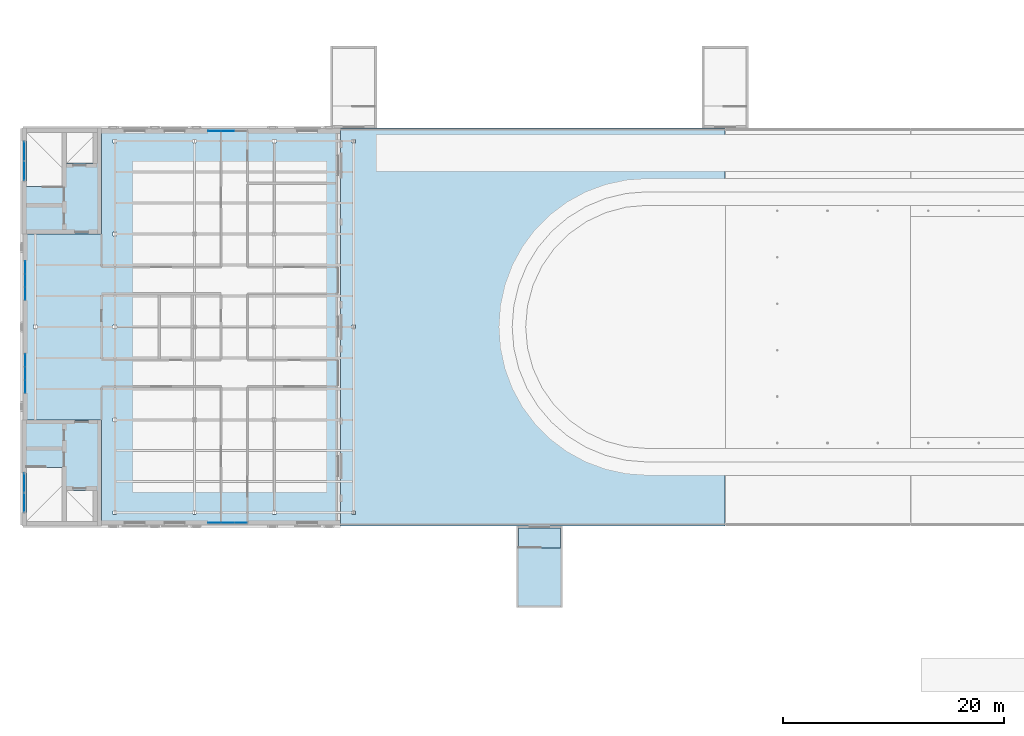
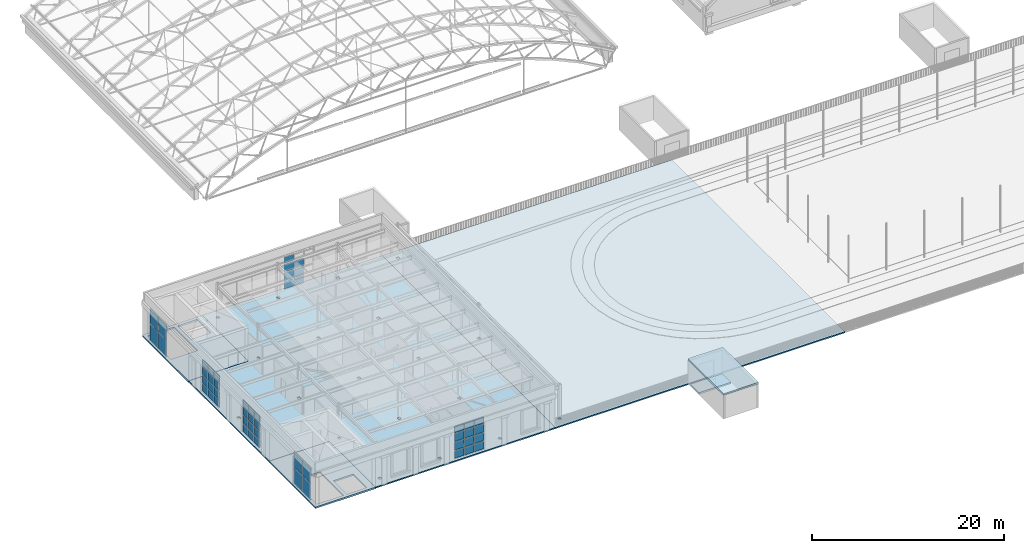
# One storey, part 68 of 127: 51 plates, 6 slabs, 6 elements without a shape of their own.
"""IFC4 building model written with IfcOpenShell, lengths in metres."""

from ifc_helpers import new_model, si_unit, direction, frame, origin, origin_2d, place, context, subcontext, project, spatial, polyline, rectangle, outline, extrude, material, layer, layer_set, type_object, element, aggregate, save


model = new_model("IFC4")

# Units and contexts
model_context = context("Model", 3, precision=1e-05, world=origin(), true_north=direction((0.0, 1.0)))
body_context = subcontext(model_context, "Body", "Model", "MODEL_VIEW")
ifc_project = project(units=[si_unit("LENGTHUNIT", "METRE"), si_unit("AREAUNIT", "SQUARE_METRE"), si_unit("VOLUMEUNIT", "CUBIC_METRE"), si_unit("PLANEANGLEUNIT", "RADIAN"), si_unit("MASSUNIT", "GRAM", prefix="KILO")], contexts=[model_context])

# Site, building, storey
site_placement = place(None, origin())
site = spatial("IfcSite", under=ifc_project, at=site_placement, CompositionType="ELEMENT")
building_placement = place(site_placement, origin())
building = spatial("IfcBuilding", under=site, at=building_placement, Name="Verrick Yard Athletic Hall", CompositionType="ELEMENT")
storey_placement = place(building_placement, frame((0.0, 0.0, 14.0)))
storey = spatial("IfcBuildingStorey", under=building, at=storey_placement, Name="L03", CompositionType="ELEMENT", Elevation=14.0)

# Slabs
ifc_material_1 = material(Name="Concrete 35 MPa", Category="concrete")
ifc_layer_1 = layer(ifc_material_1, 0.199951171875)
ifc_layer_set_1 = layer_set([ifc_layer_1], Name="Core floor slab 200")
slab_type_1 = type_object("IfcSlabType", Name="Core floor slab 200", PredefinedType="FLOOR", material=ifc_layer_set_1)
slab_1_placement = place(storey_placement, frame((0.0, 0.0, -0.199951171875)))
element("IfcSlab", 1, at=slab_1_placement, inside=storey, type_object=slab_type_1, Name="CORE-CB1-FLR-L03", PredefinedType="FLOOR", context=body_context, shape_type="SweptSolid", body=[
    extrude(outline(polyline([(10.0, 18.0), (17.199951171875, 18.0), (17.199951171875, 27.60009765625), (10.0, 27.60009765625), (10.0, 18.0)]), holes=[polyline([(10.403076171875, 23.297119140625), (13.596923828125, 23.297119140625), (13.596923828125, 18.403076171875), (10.403076171875, 18.403076171875), (10.403076171875, 23.297119140625)]), polyline([(14.0029296875, 18.403076171875), (14.0029296875, 21.197021484375), (16.39697265625, 21.197021484375), (16.39697265625, 18.403076171875), (14.0029296875, 18.403076171875)])]), origin(), (0.0, 0.0, 1.0), 0.199951171875),
])
slab_2_placement = place(storey_placement, frame((0.0, 0.0, -0.199951171875)))
element("IfcSlab", 2, at=slab_2_placement, inside=storey, type_object=slab_type_1, Name="CORE-CB2-FLR-L03", PredefinedType="FLOOR", context=body_context, shape_type="SweptSolid", body=[
    extrude(outline(polyline([(10.0, 44.39990234375), (17.199951171875, 44.39990234375), (17.199951171875, 54.0), (10.0, 54.0), (10.0, 44.39990234375)]), holes=[polyline([(13.596923828125, 48.702880859375), (10.403076171875, 48.702880859375), (10.403076171875, 53.596923828125), (13.596923828125, 53.596923828125), (13.596923828125, 48.702880859375)]), polyline([(14.0029296875, 50.802978515625), (14.0029296875, 53.596923828125), (16.39697265625, 53.596923828125), (16.39697265625, 50.802978515625), (14.0029296875, 50.802978515625)])]), origin(), (0.0, 0.0, 1.0), 0.199951171875),
])
slab_3_placement = place(storey_placement, frame((0.0, 0.0, -0.199951171875)))
element("IfcSlab", 3, at=slab_3_placement, inside=storey, type_object=slab_type_1, Name="CORE-DT-S1-NL-L03", PredefinedType="FLOOR", context=body_context, shape_type="SweptSolid", body=[
    extrude(outline(polyline([(54.89990234375, 17.800048828125), (54.89990234375, 16.0), (58.699951171875, 16.0), (58.699951171875, 17.800048828125), (54.89990234375, 17.800048828125)])), origin(), (0.0, 0.0, 1.0), 0.199951171875),
])

# Curtain wall, plates
ifc_material_2 = material(Name="Aluminium 6063-T5", Category="aluminium")
curtain_wall_type_1 = type_object("IfcCurtainWallType", Name="Core glazing strip", PredefinedType="NOTDEFINED", material=ifc_material_2)
curtain_wall_1_placement = place(storey_placement, origin())
curtain_wall_1 = element("IfcCurtainWall", 4, at=curtain_wall_1_placement, inside=storey, type_object=curtain_wall_type_1, Name="CORE-CB1-CW-L03", PredefinedType="NOTDEFINED")
ifc_material_3 = material(Name="Glass IGU low-e", Category="glass")
ifc_layer_2 = layer(ifc_material_3, 0.028076171875)
ifc_layer_set_2 = layer_set([ifc_layer_2], Name="Core glazing panel 28")
plate_type_1 = type_object("IfcPlateType", Name="Core glazing panel 28", PredefinedType="CURTAIN_PANEL", material=ifc_layer_set_2)
plate_1_placement = place(storey_placement, frame((10.199951171875, 20.114990234375, 0.06005859375), z_axis=(0.0, 0.0, 1.0), x_axis=(0.0, 1.0, 0.0)))
plate_1 = element("IfcPlate", 5, at=plate_1_placement, type_object=plate_type_1, Name="CW5 panel 1.1", PredefinedType="CURTAIN_PANEL", context=body_context, shape_type="SweptSolid", body=[
    extrude(rectangle(XDim=1.7099609375, YDim=0.028076171875, at=origin_2d()), origin(), (0.0, 0.0, 1.0), 2.010009765625),
])
plate_2_placement = place(storey_placement, frame((10.199951171875, 20.114990234375, 2.1298828125), z_axis=(0.0, 0.0, 1.0), x_axis=(0.0, 1.0, 0.0)))
plate_2 = element("IfcPlate", 6, at=plate_2_placement, type_object=plate_type_1, Name="CW5 panel 1.2", PredefinedType="CURTAIN_PANEL", context=body_context, shape_type="SweptSolid", body=[
    extrude(rectangle(XDim=1.7099609375, YDim=0.028076171875, at=origin_2d()), origin(), (0.0, 0.0, 1.0), 2.010009765625),
])
plate_3_placement = place(storey_placement, frame((10.199951171875, 21.885009765625, 0.06005859375), z_axis=(0.0, 0.0, 1.0), x_axis=(0.0, 1.0, 0.0)))
plate_3 = element("IfcPlate", 7, at=plate_3_placement, type_object=plate_type_1, Name="CW5 panel 2.1", PredefinedType="CURTAIN_PANEL", context=body_context, shape_type="SweptSolid", body=[
    extrude(rectangle(XDim=1.7099609375, YDim=0.028076171875, at=origin_2d()), origin(), (0.0, 0.0, 1.0), 2.010009765625),
])
plate_4_placement = place(storey_placement, frame((10.199951171875, 21.885009765625, 2.1298828125), z_axis=(0.0, 0.0, 1.0), x_axis=(0.0, 1.0, 0.0)))
plate_4 = element("IfcPlate", 8, at=plate_4_placement, type_object=plate_type_1, Name="CW5 panel 2.2", PredefinedType="CURTAIN_PANEL", context=body_context, shape_type="SweptSolid", body=[
    extrude(rectangle(XDim=1.7099609375, YDim=0.028076171875, at=origin_2d()), origin(), (0.0, 0.0, 1.0), 2.010009765625),
])
aggregate(curtain_wall_1, [plate_1, plate_2, plate_3, plate_4])

curtain_wall_2_placement = place(storey_placement, origin())
curtain_wall_2 = element("IfcCurtainWall", 9, at=curtain_wall_2_placement, inside=storey, type_object=curtain_wall_type_1, Name="CORE-CB2-CW-L03", PredefinedType="NOTDEFINED")
plate_5_placement = place(storey_placement, frame((10.199951171875, 50.114990234375, 0.06005859375), z_axis=(0.0, 0.0, 1.0), x_axis=(0.0, 1.0, 0.0)))
plate_5 = element("IfcPlate", 10, at=plate_5_placement, type_object=plate_type_1, Name="CW5 panel 1.1", PredefinedType="CURTAIN_PANEL", context=body_context, shape_type="SweptSolid", body=[
    extrude(rectangle(XDim=1.7099609375, YDim=0.028076171875, at=origin_2d()), origin(), (0.0, 0.0, 1.0), 2.010009765625),
])
plate_6_placement = place(storey_placement, frame((10.199951171875, 50.114990234375, 2.1298828125), z_axis=(0.0, 0.0, 1.0), x_axis=(0.0, 1.0, 0.0)))
plate_6 = element("IfcPlate", 11, at=plate_6_placement, type_object=plate_type_1, Name="CW5 panel 1.2", PredefinedType="CURTAIN_PANEL", context=body_context, shape_type="SweptSolid", body=[
    extrude(rectangle(XDim=1.7099609375, YDim=0.028076171875, at=origin_2d()), origin(), (0.0, 0.0, 1.0), 2.010009765625),
])
plate_7_placement = place(storey_placement, frame((10.199951171875, 51.885009765625, 0.06005859375), z_axis=(0.0, 0.0, 1.0), x_axis=(0.0, 1.0, 0.0)))
plate_7 = element("IfcPlate", 12, at=plate_7_placement, type_object=plate_type_1, Name="CW5 panel 2.1", PredefinedType="CURTAIN_PANEL", context=body_context, shape_type="SweptSolid", body=[
    extrude(rectangle(XDim=1.7099609375, YDim=0.028076171875, at=origin_2d()), origin(), (0.0, 0.0, 1.0), 2.010009765625),
])
plate_8_placement = place(storey_placement, frame((10.199951171875, 51.885009765625, 2.1298828125), z_axis=(0.0, 0.0, 1.0), x_axis=(0.0, 1.0, 0.0)))
plate_8 = element("IfcPlate", 13, at=plate_8_placement, type_object=plate_type_1, Name="CW5 panel 2.2", PredefinedType="CURTAIN_PANEL", context=body_context, shape_type="SweptSolid", body=[
    extrude(rectangle(XDim=1.7099609375, YDim=0.028076171875, at=origin_2d()), origin(), (0.0, 0.0, 1.0), 2.010009765625),
])
aggregate(curtain_wall_2, [plate_5, plate_6, plate_7, plate_8])

# Slab
ifc_layer_3 = layer(ifc_material_1, 0.199951171875)
ifc_layer_set_3 = layer_set([ifc_layer_3], Name="Core roof slab 200")
slab_type_2 = type_object("IfcSlabType", Name="Core roof slab 200", PredefinedType="ROOF", material=ifc_layer_set_3)
slab_4_placement = place(storey_placement, frame((0.0, 0.0, 3.0)))
element("IfcSlab", 14, at=slab_4_placement, inside=storey, type_object=slab_type_2, Name="CORE-DT-S1-COVER", PredefinedType="ROOF", context=body_context, shape_type="SweptSolid", body=[
    extrude(outline(polyline([(54.699951171875, 10.60009765625), (58.89990234375, 10.60009765625), (58.89990234375, 18.0), (54.699951171875, 18.0), (54.699951171875, 10.60009765625)])), origin(), (0.0, 0.0, 1.0), 0.199951171875),
])

# Curtain wall, plates
ifc_material_4 = material(Name="Anodised aluminium", Category="aluminium")
ifc_layer_4 = layer(ifc_material_4, 0.199951171875)
ifc_layer_set_4 = layer_set([ifc_layer_4], Name="Front glazing")
curtain_wall_type_2 = type_object("IfcCurtainWallType", Name="Front glazing", PredefinedType="NOTDEFINED", material=ifc_layer_set_4)
curtain_wall_3_placement = place(storey_placement, origin())
curtain_wall_3 = element("IfcCurtainWall", 15, at=curtain_wall_3_placement, inside=storey, type_object=curtain_wall_type_2, Name="ENVB-WS-L03-CW268", PredefinedType="NOTDEFINED")
ifc_layer_5 = layer(ifc_material_3, 0.03125)
ifc_layer_set_5 = layer_set([ifc_layer_5], Name="Glazing panel 31")
plate_type_2 = type_object("IfcPlateType", Name="Glazing panel 31", PredefinedType="CURTAIN_PANEL", material=ifc_layer_set_5)
plate_9_placement = place(storey_placement, frame((27.4150390625, 18.28125, 0.1201171875), z_axis=(0.0, 0.0, 1.0), x_axis=(1.0, 0.0, 0.0)))
plate_9 = element("IfcPlate", 16, at=plate_9_placement, type_object=plate_type_2, Name="ENVB-WS-L03-CW268/P00-00", PredefinedType="CURTAIN_PANEL", context=body_context, shape_type="SweptSolid", body=[
    extrude(rectangle(XDim=1.110107421875, YDim=0.03125, at=origin_2d()), origin(), (0.0, 0.0, 1.0), 0.919921875),
])
plate_10_placement = place(storey_placement, frame((27.4150390625, 18.28125, 1.159912109375), z_axis=(0.0, 0.0, 1.0), x_axis=(1.0, 0.0, 0.0)))
plate_10 = element("IfcPlate", 17, at=plate_10_placement, type_object=plate_type_2, Name="ENVB-WS-L03-CW268/P00-01", PredefinedType="CURTAIN_PANEL", context=body_context, shape_type="SweptSolid", body=[
    extrude(rectangle(XDim=1.110107421875, YDim=0.03125, at=origin_2d()), origin(), (0.0, 0.0, 1.0), 0.97998046875),
])
plate_11_placement = place(storey_placement, frame((27.4150390625, 18.28125, 2.260009765625), z_axis=(0.0, 0.0, 1.0), x_axis=(1.0, 0.0, 0.0)))
plate_11 = element("IfcPlate", 18, at=plate_11_placement, type_object=plate_type_2, Name="ENVB-WS-L03-CW268/P00-02", PredefinedType="CURTAIN_PANEL", context=body_context, shape_type="SweptSolid", body=[
    extrude(rectangle(XDim=1.110107421875, YDim=0.03125, at=origin_2d()), origin(), (0.0, 0.0, 1.0), 0.97998046875),
])
plate_12_placement = place(storey_placement, frame((27.4150390625, 18.28125, 3.360107421875), z_axis=(0.0, 0.0, 1.0), x_axis=(1.0, 0.0, 0.0)))
plate_12 = element("IfcPlate", 19, at=plate_12_placement, type_object=plate_type_2, Name="ENVB-WS-L03-CW268/P00-03", PredefinedType="CURTAIN_PANEL", context=body_context, shape_type="SweptSolid", body=[
    extrude(rectangle(XDim=1.110107421875, YDim=0.03125, at=origin_2d()), origin(), (0.0, 0.0, 1.0), 0.77001953125),
])
plate_13_placement = place(storey_placement, frame((28.60009765625, 18.28125, 0.1201171875), z_axis=(0.0, 0.0, 1.0), x_axis=(1.0, 0.0, 0.0)))
plate_13 = element("IfcPlate", 20, at=plate_13_placement, type_object=plate_type_2, Name="ENVB-WS-L03-CW268/P01-00", PredefinedType="CURTAIN_PANEL", context=body_context, shape_type="SweptSolid", body=[
    extrude(rectangle(XDim=1.139892578125, YDim=0.03125, at=origin_2d()), origin(), (0.0, 0.0, 1.0), 0.919921875),
])
plate_14_placement = place(storey_placement, frame((28.60009765625, 18.28125, 1.159912109375), z_axis=(0.0, 0.0, 1.0), x_axis=(1.0, 0.0, 0.0)))
plate_14 = element("IfcPlate", 21, at=plate_14_placement, type_object=plate_type_2, Name="ENVB-WS-L03-CW268/P01-01", PredefinedType="CURTAIN_PANEL", context=body_context, shape_type="SweptSolid", body=[
    extrude(rectangle(XDim=1.139892578125, YDim=0.03125, at=origin_2d()), origin(), (0.0, 0.0, 1.0), 0.97998046875),
])
plate_15_placement = place(storey_placement, frame((28.60009765625, 18.28125, 2.260009765625), z_axis=(0.0, 0.0, 1.0), x_axis=(1.0, 0.0, 0.0)))
plate_15 = element("IfcPlate", 22, at=plate_15_placement, type_object=plate_type_2, Name="ENVB-WS-L03-CW268/P01-02", PredefinedType="CURTAIN_PANEL", context=body_context, shape_type="SweptSolid", body=[
    extrude(rectangle(XDim=1.139892578125, YDim=0.03125, at=origin_2d()), origin(), (0.0, 0.0, 1.0), 0.97998046875),
])
plate_16_placement = place(storey_placement, frame((28.60009765625, 18.28125, 3.360107421875), z_axis=(0.0, 0.0, 1.0), x_axis=(1.0, 0.0, 0.0)))
plate_16 = element("IfcPlate", 23, at=plate_16_placement, type_object=plate_type_2, Name="ENVB-WS-L03-CW268/P01-03", PredefinedType="CURTAIN_PANEL", context=body_context, shape_type="SweptSolid", body=[
    extrude(rectangle(XDim=1.139892578125, YDim=0.03125, at=origin_2d()), origin(), (0.0, 0.0, 1.0), 0.77001953125),
])
plate_17_placement = place(storey_placement, frame((29.784912109375, 18.28125, 0.1201171875), z_axis=(0.0, 0.0, 1.0), x_axis=(1.0, 0.0, 0.0)))
plate_17 = element("IfcPlate", 24, at=plate_17_placement, type_object=plate_type_2, Name="ENVB-WS-L03-CW268/P02-00", PredefinedType="CURTAIN_PANEL", context=body_context, shape_type="SweptSolid", body=[
    extrude(rectangle(XDim=1.110107421875, YDim=0.03125, at=origin_2d()), origin(), (0.0, 0.0, 1.0), 0.919921875),
])
plate_18_placement = place(storey_placement, frame((29.784912109375, 18.28125, 1.159912109375), z_axis=(0.0, 0.0, 1.0), x_axis=(1.0, 0.0, 0.0)))
plate_18 = element("IfcPlate", 25, at=plate_18_placement, type_object=plate_type_2, Name="ENVB-WS-L03-CW268/P02-01", PredefinedType="CURTAIN_PANEL", context=body_context, shape_type="SweptSolid", body=[
    extrude(rectangle(XDim=1.110107421875, YDim=0.03125, at=origin_2d()), origin(), (0.0, 0.0, 1.0), 0.97998046875),
])
plate_19_placement = place(storey_placement, frame((29.784912109375, 18.28125, 2.260009765625), z_axis=(0.0, 0.0, 1.0), x_axis=(1.0, 0.0, 0.0)))
plate_19 = element("IfcPlate", 26, at=plate_19_placement, type_object=plate_type_2, Name="ENVB-WS-L03-CW268/P02-02", PredefinedType="CURTAIN_PANEL", context=body_context, shape_type="SweptSolid", body=[
    extrude(rectangle(XDim=1.110107421875, YDim=0.03125, at=origin_2d()), origin(), (0.0, 0.0, 1.0), 0.97998046875),
])
plate_20_placement = place(storey_placement, frame((29.784912109375, 18.28125, 3.360107421875), z_axis=(0.0, 0.0, 1.0), x_axis=(1.0, 0.0, 0.0)))
plate_20 = element("IfcPlate", 27, at=plate_20_placement, type_object=plate_type_2, Name="ENVB-WS-L03-CW268/P02-03", PredefinedType="CURTAIN_PANEL", context=body_context, shape_type="SweptSolid", body=[
    extrude(rectangle(XDim=1.110107421875, YDim=0.03125, at=origin_2d()), origin(), (0.0, 0.0, 1.0), 0.77001953125),
])
aggregate(curtain_wall_3, [plate_9, plate_10, plate_11, plate_12, plate_13, plate_14, plate_15, plate_16, plate_17, plate_18, plate_19, plate_20])

curtain_wall_4_placement = place(storey_placement, origin())
curtain_wall_4 = element("IfcCurtainWall", 28, at=curtain_wall_4_placement, inside=storey, type_object=curtain_wall_type_2, Name="ENVB-WN-L03-CW268", PredefinedType="NOTDEFINED")
plate_21_placement = place(storey_placement, frame((27.4150390625, 53.71875, 0.1201171875), z_axis=(0.0, 0.0, 1.0), x_axis=(1.0, 0.0, 0.0)))
plate_21 = element("IfcPlate", 29, at=plate_21_placement, type_object=plate_type_2, Name="ENVB-WN-L03-CW268/P00-00", PredefinedType="CURTAIN_PANEL", context=body_context, shape_type="SweptSolid", body=[
    extrude(rectangle(XDim=1.110107421875, YDim=0.03125, at=origin_2d()), origin(), (0.0, 0.0, 1.0), 0.919921875),
])
plate_22_placement = place(storey_placement, frame((27.4150390625, 53.71875, 1.159912109375), z_axis=(0.0, 0.0, 1.0), x_axis=(1.0, 0.0, 0.0)))
plate_22 = element("IfcPlate", 30, at=plate_22_placement, type_object=plate_type_2, Name="ENVB-WN-L03-CW268/P00-01", PredefinedType="CURTAIN_PANEL", context=body_context, shape_type="SweptSolid", body=[
    extrude(rectangle(XDim=1.110107421875, YDim=0.03125, at=origin_2d()), origin(), (0.0, 0.0, 1.0), 0.97998046875),
])
plate_23_placement = place(storey_placement, frame((27.4150390625, 53.71875, 2.260009765625), z_axis=(0.0, 0.0, 1.0), x_axis=(1.0, 0.0, 0.0)))
plate_23 = element("IfcPlate", 31, at=plate_23_placement, type_object=plate_type_2, Name="ENVB-WN-L03-CW268/P00-02", PredefinedType="CURTAIN_PANEL", context=body_context, shape_type="SweptSolid", body=[
    extrude(rectangle(XDim=1.110107421875, YDim=0.03125, at=origin_2d()), origin(), (0.0, 0.0, 1.0), 0.97998046875),
])
plate_24_placement = place(storey_placement, frame((27.4150390625, 53.71875, 3.360107421875), z_axis=(0.0, 0.0, 1.0), x_axis=(1.0, 0.0, 0.0)))
plate_24 = element("IfcPlate", 32, at=plate_24_placement, type_object=plate_type_2, Name="ENVB-WN-L03-CW268/P00-03", PredefinedType="CURTAIN_PANEL", context=body_context, shape_type="SweptSolid", body=[
    extrude(rectangle(XDim=1.110107421875, YDim=0.03125, at=origin_2d()), origin(), (0.0, 0.0, 1.0), 0.77001953125),
])
plate_25_placement = place(storey_placement, frame((28.60009765625, 53.71875, 0.1201171875), z_axis=(0.0, 0.0, 1.0), x_axis=(1.0, 0.0, 0.0)))
plate_25 = element("IfcPlate", 33, at=plate_25_placement, type_object=plate_type_2, Name="ENVB-WN-L03-CW268/P01-00", PredefinedType="CURTAIN_PANEL", context=body_context, shape_type="SweptSolid", body=[
    extrude(rectangle(XDim=1.139892578125, YDim=0.03125, at=origin_2d()), origin(), (0.0, 0.0, 1.0), 0.919921875),
])
plate_26_placement = place(storey_placement, frame((28.60009765625, 53.71875, 1.159912109375), z_axis=(0.0, 0.0, 1.0), x_axis=(1.0, 0.0, 0.0)))
plate_26 = element("IfcPlate", 34, at=plate_26_placement, type_object=plate_type_2, Name="ENVB-WN-L03-CW268/P01-01", PredefinedType="CURTAIN_PANEL", context=body_context, shape_type="SweptSolid", body=[
    extrude(rectangle(XDim=1.139892578125, YDim=0.03125, at=origin_2d()), origin(), (0.0, 0.0, 1.0), 0.97998046875),
])
plate_27_placement = place(storey_placement, frame((28.60009765625, 53.71875, 2.260009765625), z_axis=(0.0, 0.0, 1.0), x_axis=(1.0, 0.0, 0.0)))
plate_27 = element("IfcPlate", 35, at=plate_27_placement, type_object=plate_type_2, Name="ENVB-WN-L03-CW268/P01-02", PredefinedType="CURTAIN_PANEL", context=body_context, shape_type="SweptSolid", body=[
    extrude(rectangle(XDim=1.139892578125, YDim=0.03125, at=origin_2d()), origin(), (0.0, 0.0, 1.0), 0.97998046875),
])
aggregate(curtain_wall_4, [plate_21, plate_22, plate_23, plate_24, plate_25, plate_26, plate_27])

curtain_wall_5_placement = place(storey_placement, origin())
curtain_wall_5 = element("IfcCurtainWall", 36, at=curtain_wall_5_placement, inside=storey, type_object=curtain_wall_type_2, Name="ENVB-WW-L03-CW300", PredefinedType="NOTDEFINED")
plate_28_placement = place(storey_placement, frame((10.28125, 30.614990234375, 0.1201171875), z_axis=(0.0, 0.0, 1.0), x_axis=(0.0, 1.0, 0.0)))
plate_28 = element("IfcPlate", 37, at=plate_28_placement, type_object=plate_type_2, Name="ENVB-WW-L03-CW300/P00-00", PredefinedType="CURTAIN_PANEL", context=body_context, shape_type="SweptSolid", body=[
    extrude(rectangle(XDim=1.110107421875, YDim=0.03125, at=origin_2d()), origin(), (0.0, 0.0, 1.0), 0.919921875),
])
plate_29_placement = place(storey_placement, frame((10.28125, 30.614990234375, 1.159912109375), z_axis=(0.0, 0.0, 1.0), x_axis=(0.0, 1.0, 0.0)))
plate_29 = element("IfcPlate", 38, at=plate_29_placement, type_object=plate_type_2, Name="ENVB-WW-L03-CW300/P00-01", PredefinedType="CURTAIN_PANEL", context=body_context, shape_type="SweptSolid", body=[
    extrude(rectangle(XDim=1.110107421875, YDim=0.03125, at=origin_2d()), origin(), (0.0, 0.0, 1.0), 0.97998046875),
])
plate_30_placement = place(storey_placement, frame((10.28125, 30.614990234375, 2.260009765625), z_axis=(0.0, 0.0, 1.0), x_axis=(0.0, 1.0, 0.0)))
plate_30 = element("IfcPlate", 39, at=plate_30_placement, type_object=plate_type_2, Name="ENVB-WW-L03-CW300/P00-02", PredefinedType="CURTAIN_PANEL", context=body_context, shape_type="SweptSolid", body=[
    extrude(rectangle(XDim=1.110107421875, YDim=0.03125, at=origin_2d()), origin(), (0.0, 0.0, 1.0), 0.97998046875),
])
plate_31_placement = place(storey_placement, frame((10.28125, 30.614990234375, 3.360107421875), z_axis=(0.0, 0.0, 1.0), x_axis=(0.0, 1.0, 0.0)))
plate_31 = element("IfcPlate", 40, at=plate_31_placement, type_object=plate_type_2, Name="ENVB-WW-L03-CW300/P00-03", PredefinedType="CURTAIN_PANEL", context=body_context, shape_type="SweptSolid", body=[
    extrude(rectangle(XDim=1.110107421875, YDim=0.03125, at=origin_2d()), origin(), (0.0, 0.0, 1.0), 0.77001953125),
])
plate_32_placement = place(storey_placement, frame((10.28125, 31.800048828125, 0.1201171875), z_axis=(0.0, 0.0, 1.0), x_axis=(0.0, 1.0, 0.0)))
plate_32 = element("IfcPlate", 41, at=plate_32_placement, type_object=plate_type_2, Name="ENVB-WW-L03-CW300/P01-00", PredefinedType="CURTAIN_PANEL", context=body_context, shape_type="SweptSolid", body=[
    extrude(rectangle(XDim=1.139892578125, YDim=0.03125, at=origin_2d()), origin(), (0.0, 0.0, 1.0), 0.919921875),
])
plate_33_placement = place(storey_placement, frame((10.28125, 31.800048828125, 1.159912109375), z_axis=(0.0, 0.0, 1.0), x_axis=(0.0, 1.0, 0.0)))
plate_33 = element("IfcPlate", 42, at=plate_33_placement, type_object=plate_type_2, Name="ENVB-WW-L03-CW300/P01-01", PredefinedType="CURTAIN_PANEL", context=body_context, shape_type="SweptSolid", body=[
    extrude(rectangle(XDim=1.139892578125, YDim=0.03125, at=origin_2d()), origin(), (0.0, 0.0, 1.0), 0.97998046875),
])
plate_34_placement = place(storey_placement, frame((10.28125, 31.800048828125, 2.260009765625), z_axis=(0.0, 0.0, 1.0), x_axis=(0.0, 1.0, 0.0)))
plate_34 = element("IfcPlate", 43, at=plate_34_placement, type_object=plate_type_2, Name="ENVB-WW-L03-CW300/P01-02", PredefinedType="CURTAIN_PANEL", context=body_context, shape_type="SweptSolid", body=[
    extrude(rectangle(XDim=1.139892578125, YDim=0.03125, at=origin_2d()), origin(), (0.0, 0.0, 1.0), 0.97998046875),
])
plate_35_placement = place(storey_placement, frame((10.28125, 31.800048828125, 3.360107421875), z_axis=(0.0, 0.0, 1.0), x_axis=(0.0, 1.0, 0.0)))
plate_35 = element("IfcPlate", 44, at=plate_35_placement, type_object=plate_type_2, Name="ENVB-WW-L03-CW300/P01-03", PredefinedType="CURTAIN_PANEL", context=body_context, shape_type="SweptSolid", body=[
    extrude(rectangle(XDim=1.139892578125, YDim=0.03125, at=origin_2d()), origin(), (0.0, 0.0, 1.0), 0.77001953125),
])
plate_36_placement = place(storey_placement, frame((10.28125, 32.985107421875, 0.1201171875), z_axis=(0.0, 0.0, 1.0), x_axis=(0.0, 1.0, 0.0)))
plate_36 = element("IfcPlate", 45, at=plate_36_placement, type_object=plate_type_2, Name="ENVB-WW-L03-CW300/P02-00", PredefinedType="CURTAIN_PANEL", context=body_context, shape_type="SweptSolid", body=[
    extrude(rectangle(XDim=1.110107421875, YDim=0.03125, at=origin_2d()), origin(), (0.0, 0.0, 1.0), 0.919921875),
])
plate_37_placement = place(storey_placement, frame((10.28125, 32.985107421875, 1.159912109375), z_axis=(0.0, 0.0, 1.0), x_axis=(0.0, 1.0, 0.0)))
plate_37 = element("IfcPlate", 46, at=plate_37_placement, type_object=plate_type_2, Name="ENVB-WW-L03-CW300/P02-01", PredefinedType="CURTAIN_PANEL", context=body_context, shape_type="SweptSolid", body=[
    extrude(rectangle(XDim=1.110107421875, YDim=0.03125, at=origin_2d()), origin(), (0.0, 0.0, 1.0), 0.97998046875),
])
plate_38_placement = place(storey_placement, frame((10.28125, 32.985107421875, 2.260009765625), z_axis=(0.0, 0.0, 1.0), x_axis=(0.0, 1.0, 0.0)))
plate_38 = element("IfcPlate", 47, at=plate_38_placement, type_object=plate_type_2, Name="ENVB-WW-L03-CW300/P02-02", PredefinedType="CURTAIN_PANEL", context=body_context, shape_type="SweptSolid", body=[
    extrude(rectangle(XDim=1.110107421875, YDim=0.03125, at=origin_2d()), origin(), (0.0, 0.0, 1.0), 0.97998046875),
])
plate_39_placement = place(storey_placement, frame((10.28125, 32.985107421875, 3.360107421875), z_axis=(0.0, 0.0, 1.0), x_axis=(0.0, 1.0, 0.0)))
plate_39 = element("IfcPlate", 48, at=plate_39_placement, type_object=plate_type_2, Name="ENVB-WW-L03-CW300/P02-03", PredefinedType="CURTAIN_PANEL", context=body_context, shape_type="SweptSolid", body=[
    extrude(rectangle(XDim=1.110107421875, YDim=0.03125, at=origin_2d()), origin(), (0.0, 0.0, 1.0), 0.77001953125),
])
aggregate(curtain_wall_5, [plate_28, plate_29, plate_30, plate_31, plate_32, plate_33, plate_34, plate_35, plate_36, plate_37, plate_38, plate_39])

curtain_wall_6_placement = place(storey_placement, origin())
curtain_wall_6 = element("IfcCurtainWall", 49, at=curtain_wall_6_placement, inside=storey, type_object=curtain_wall_type_2, Name="ENVB-WW-L03-CW384", PredefinedType="NOTDEFINED")
plate_40_placement = place(storey_placement, frame((10.28125, 39.014892578125, 0.1201171875), z_axis=(0.0, 0.0, 1.0), x_axis=(0.0, 1.0, 0.0)))
plate_40 = element("IfcPlate", 50, at=plate_40_placement, type_object=plate_type_2, Name="ENVB-WW-L03-CW384/P00-00", PredefinedType="CURTAIN_PANEL", context=body_context, shape_type="SweptSolid", body=[
    extrude(rectangle(XDim=1.110107421875, YDim=0.03125, at=origin_2d()), origin(), (0.0, 0.0, 1.0), 0.919921875),
])
plate_41_placement = place(storey_placement, frame((10.28125, 39.014892578125, 1.159912109375), z_axis=(0.0, 0.0, 1.0), x_axis=(0.0, 1.0, 0.0)))
plate_41 = element("IfcPlate", 51, at=plate_41_placement, type_object=plate_type_2, Name="ENVB-WW-L03-CW384/P00-01", PredefinedType="CURTAIN_PANEL", context=body_context, shape_type="SweptSolid", body=[
    extrude(rectangle(XDim=1.110107421875, YDim=0.03125, at=origin_2d()), origin(), (0.0, 0.0, 1.0), 0.97998046875),
])
plate_42_placement = place(storey_placement, frame((10.28125, 39.014892578125, 2.260009765625), z_axis=(0.0, 0.0, 1.0), x_axis=(0.0, 1.0, 0.0)))
plate_42 = element("IfcPlate", 52, at=plate_42_placement, type_object=plate_type_2, Name="ENVB-WW-L03-CW384/P00-02", PredefinedType="CURTAIN_PANEL", context=body_context, shape_type="SweptSolid", body=[
    extrude(rectangle(XDim=1.110107421875, YDim=0.03125, at=origin_2d()), origin(), (0.0, 0.0, 1.0), 0.97998046875),
])
plate_43_placement = place(storey_placement, frame((10.28125, 39.014892578125, 3.360107421875), z_axis=(0.0, 0.0, 1.0), x_axis=(0.0, 1.0, 0.0)))
plate_43 = element("IfcPlate", 53, at=plate_43_placement, type_object=plate_type_2, Name="ENVB-WW-L03-CW384/P00-03", PredefinedType="CURTAIN_PANEL", context=body_context, shape_type="SweptSolid", body=[
    extrude(rectangle(XDim=1.110107421875, YDim=0.03125, at=origin_2d()), origin(), (0.0, 0.0, 1.0), 0.77001953125),
])
plate_44_placement = place(storey_placement, frame((10.28125, 40.199951171875, 0.1201171875), z_axis=(0.0, 0.0, 1.0), x_axis=(0.0, 1.0, 0.0)))
plate_44 = element("IfcPlate", 54, at=plate_44_placement, type_object=plate_type_2, Name="ENVB-WW-L03-CW384/P01-00", PredefinedType="CURTAIN_PANEL", context=body_context, shape_type="SweptSolid", body=[
    extrude(rectangle(XDim=1.139892578125, YDim=0.03125, at=origin_2d()), origin(), (0.0, 0.0, 1.0), 0.919921875),
])
plate_45_placement = place(storey_placement, frame((10.28125, 40.199951171875, 1.159912109375), z_axis=(0.0, 0.0, 1.0), x_axis=(0.0, 1.0, 0.0)))
plate_45 = element("IfcPlate", 55, at=plate_45_placement, type_object=plate_type_2, Name="ENVB-WW-L03-CW384/P01-01", PredefinedType="CURTAIN_PANEL", context=body_context, shape_type="SweptSolid", body=[
    extrude(rectangle(XDim=1.139892578125, YDim=0.03125, at=origin_2d()), origin(), (0.0, 0.0, 1.0), 0.97998046875),
])
plate_46_placement = place(storey_placement, frame((10.28125, 40.199951171875, 2.260009765625), z_axis=(0.0, 0.0, 1.0), x_axis=(0.0, 1.0, 0.0)))
plate_46 = element("IfcPlate", 56, at=plate_46_placement, type_object=plate_type_2, Name="ENVB-WW-L03-CW384/P01-02", PredefinedType="CURTAIN_PANEL", context=body_context, shape_type="SweptSolid", body=[
    extrude(rectangle(XDim=1.139892578125, YDim=0.03125, at=origin_2d()), origin(), (0.0, 0.0, 1.0), 0.97998046875),
])
plate_47_placement = place(storey_placement, frame((10.28125, 40.199951171875, 3.360107421875), z_axis=(0.0, 0.0, 1.0), x_axis=(0.0, 1.0, 0.0)))
plate_47 = element("IfcPlate", 57, at=plate_47_placement, type_object=plate_type_2, Name="ENVB-WW-L03-CW384/P01-03", PredefinedType="CURTAIN_PANEL", context=body_context, shape_type="SweptSolid", body=[
    extrude(rectangle(XDim=1.139892578125, YDim=0.03125, at=origin_2d()), origin(), (0.0, 0.0, 1.0), 0.77001953125),
])
plate_48_placement = place(storey_placement, frame((10.28125, 41.385009765625, 0.1201171875), z_axis=(0.0, 0.0, 1.0), x_axis=(0.0, 1.0, 0.0)))
plate_48 = element("IfcPlate", 58, at=plate_48_placement, type_object=plate_type_2, Name="ENVB-WW-L03-CW384/P02-00", PredefinedType="CURTAIN_PANEL", context=body_context, shape_type="SweptSolid", body=[
    extrude(rectangle(XDim=1.110107421875, YDim=0.03125, at=origin_2d()), origin(), (0.0, 0.0, 1.0), 0.919921875),
])
plate_49_placement = place(storey_placement, frame((10.28125, 41.385009765625, 1.159912109375), z_axis=(0.0, 0.0, 1.0), x_axis=(0.0, 1.0, 0.0)))
plate_49 = element("IfcPlate", 59, at=plate_49_placement, type_object=plate_type_2, Name="ENVB-WW-L03-CW384/P02-01", PredefinedType="CURTAIN_PANEL", context=body_context, shape_type="SweptSolid", body=[
    extrude(rectangle(XDim=1.110107421875, YDim=0.03125, at=origin_2d()), origin(), (0.0, 0.0, 1.0), 0.97998046875),
])
plate_50_placement = place(storey_placement, frame((10.28125, 41.385009765625, 2.260009765625), z_axis=(0.0, 0.0, 1.0), x_axis=(0.0, 1.0, 0.0)))
plate_50 = element("IfcPlate", 60, at=plate_50_placement, type_object=plate_type_2, Name="ENVB-WW-L03-CW384/P02-02", PredefinedType="CURTAIN_PANEL", context=body_context, shape_type="SweptSolid", body=[
    extrude(rectangle(XDim=1.110107421875, YDim=0.03125, at=origin_2d()), origin(), (0.0, 0.0, 1.0), 0.97998046875),
])
plate_51_placement = place(storey_placement, frame((10.28125, 41.385009765625, 3.360107421875), z_axis=(0.0, 0.0, 1.0), x_axis=(0.0, 1.0, 0.0)))
plate_51 = element("IfcPlate", 61, at=plate_51_placement, type_object=plate_type_2, Name="ENVB-WW-L03-CW384/P02-03", PredefinedType="CURTAIN_PANEL", context=body_context, shape_type="SweptSolid", body=[
    extrude(rectangle(XDim=1.110107421875, YDim=0.03125, at=origin_2d()), origin(), (0.0, 0.0, 1.0), 0.77001953125),
])
aggregate(curtain_wall_6, [plate_40, plate_41, plate_42, plate_43, plate_44, plate_45, plate_46, plate_47, plate_48, plate_49, plate_50, plate_51])

# Slabs
ifc_layer_6 = layer(ifc_material_1, 0.14990234375)
ifc_layer_set_6 = layer_set([ifc_layer_6], Name="STR Composite deck slab SL3")
slab_type_3 = type_object("IfcSlabType", Name="STR Composite deck slab SL3", PredefinedType="ROOF", material=ifc_layer_set_6)
slab_5_placement = place(storey_placement, frame((0.0, 0.0, -0.14990234375)))
element("IfcSlab", 62, at=slab_5_placement, inside=storey, type_object=slab_type_3, Name="STR-SL-DECK-DZ1", PredefinedType="ROOF", context=body_context, shape_type="SweptSolid", body=[
    extrude(outline(polyline([(73.574951171875, 54.0), (38.800048828125, 54.0), (38.800048828125, 18.0), (73.574951171875, 18.0), (73.574951171875, 54.0)]), holes=[polyline([(39.845458984375, 19.03857421875), (39.845458984375, 19.361572265625), (40.154541015625, 19.361572265625), (40.154541015625, 19.03857421875), (39.845458984375, 19.03857421875)]), polyline([(39.845458984375, 36.16162109375), (40.154541015625, 36.16162109375), (40.154541015625, 35.83837890625), (39.845458984375, 35.83837890625), (39.845458984375, 36.16162109375)]), polyline([(40.154541015625, 52.96142578125), (40.154541015625, 52.638427734375), (39.845458984375, 52.638427734375), (39.845458984375, 52.96142578125), (40.154541015625, 52.96142578125)])]), origin(), (0.0, 0.0, 1.0), 0.14990234375),
])
ifc_layer_7 = layer(ifc_material_1, 0.14990234375)
ifc_layer_set_7 = layer_set([ifc_layer_7], Name="STR Wing floor slab SL4")
slab_type_4 = type_object("IfcSlabType", Name="STR Wing floor slab SL4", PredefinedType="FLOOR", material=ifc_layer_set_7)
slab_6_placement = place(storey_placement, frame((0.0, 0.0, -0.14990234375)))
element("IfcSlab", 63, at=slab_6_placement, inside=storey, type_object=slab_type_4, Name="STR-SL-WING-L03", PredefinedType="FLOOR", context=body_context, shape_type="SweptSolid", body=[
    extrude(outline(polyline([(38.800048828125, 54.0), (17.199951171875, 54.0), (17.199951171875, 44.39990234375), (10.0, 44.39990234375), (10.0, 27.60009765625), (17.199951171875, 27.60009765625), (17.199951171875, 18.0), (38.800048828125, 18.0), (38.800048828125, 54.0)]), holes=[polyline([(18.554443359375, 19.361572265625), (18.554443359375, 19.03857421875), (18.24560546875, 19.03857421875), (18.24560546875, 19.361572265625), (18.554443359375, 19.361572265625)]), polyline([(18.554443359375, 27.761474609375), (18.554443359375, 27.4384765625), (18.24560546875, 27.4384765625), (18.24560546875, 27.761474609375), (18.554443359375, 27.761474609375)]), polyline([(11.3544921875, 35.83837890625), (11.04541015625, 35.83837890625), (11.04541015625, 36.16162109375), (11.3544921875, 36.16162109375), (11.3544921875, 35.83837890625)]), polyline([(18.554443359375, 35.83837890625), (18.24560546875, 35.83837890625), (18.24560546875, 36.16162109375), (18.554443359375, 36.16162109375), (18.554443359375, 35.83837890625)]), polyline([(25.75439453125, 36.16162109375), (25.75439453125, 35.83837890625), (25.445556640625, 35.83837890625), (25.445556640625, 36.16162109375), (25.75439453125, 36.16162109375)]), polyline([(18.554443359375, 44.5615234375), (18.554443359375, 44.238525390625), (18.24560546875, 44.238525390625), (18.24560546875, 44.5615234375), (18.554443359375, 44.5615234375)]), polyline([(25.75439453125, 44.5615234375), (25.75439453125, 44.238525390625), (25.445556640625, 44.238525390625), (25.445556640625, 44.5615234375), (25.75439453125, 44.5615234375)]), polyline([(18.554443359375, 52.638427734375), (18.24560546875, 52.638427734375), (18.24560546875, 52.96142578125), (18.554443359375, 52.96142578125), (18.554443359375, 52.638427734375)]), polyline([(25.75439453125, 52.96142578125), (25.75439453125, 52.638427734375), (25.445556640625, 52.638427734375), (25.445556640625, 52.96142578125), (25.75439453125, 52.96142578125)]), polyline([(25.75439453125, 19.361572265625), (25.75439453125, 19.03857421875), (25.445556640625, 19.03857421875), (25.445556640625, 19.361572265625), (25.75439453125, 19.361572265625)]), polyline([(32.95458984375, 19.361572265625), (32.95458984375, 19.03857421875), (32.6455078125, 19.03857421875), (32.6455078125, 19.361572265625), (32.95458984375, 19.361572265625)]), polyline([(25.75439453125, 27.4384765625), (25.445556640625, 27.4384765625), (25.445556640625, 27.761474609375), (25.75439453125, 27.761474609375), (25.75439453125, 27.4384765625)]), polyline([(32.95458984375, 27.761474609375), (32.95458984375, 27.4384765625), (32.6455078125, 27.4384765625), (32.6455078125, 27.761474609375), (32.95458984375, 27.761474609375)]), polyline([(32.95458984375, 35.83837890625), (32.6455078125, 35.83837890625), (32.6455078125, 36.16162109375), (32.95458984375, 36.16162109375), (32.95458984375, 35.83837890625)]), polyline([(32.95458984375, 44.5615234375), (32.95458984375, 44.238525390625), (32.6455078125, 44.238525390625), (32.6455078125, 44.5615234375), (32.95458984375, 44.5615234375)]), polyline([(32.95458984375, 52.638427734375), (32.6455078125, 52.638427734375), (32.6455078125, 52.96142578125), (32.95458984375, 52.96142578125), (32.95458984375, 52.638427734375)])]), origin(), (0.0, 0.0, 1.0), 0.14990234375),
])

save(model, "model.ifc")
